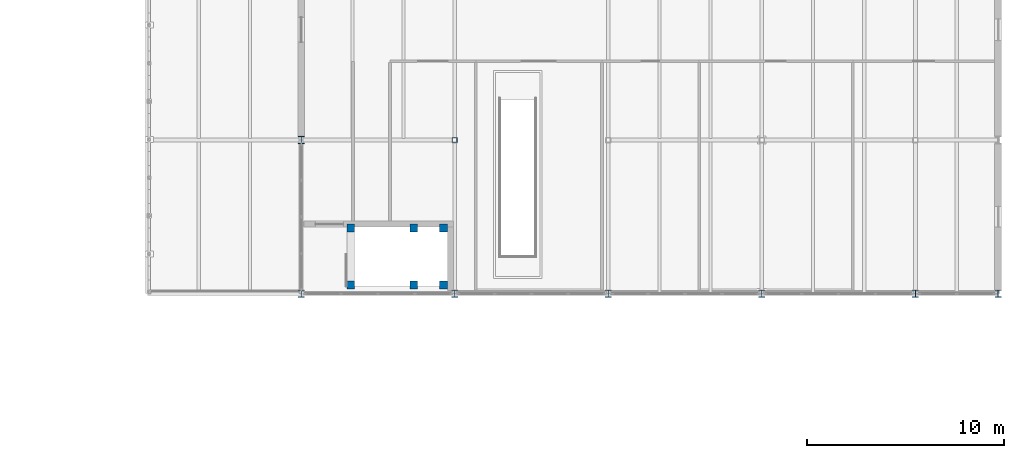
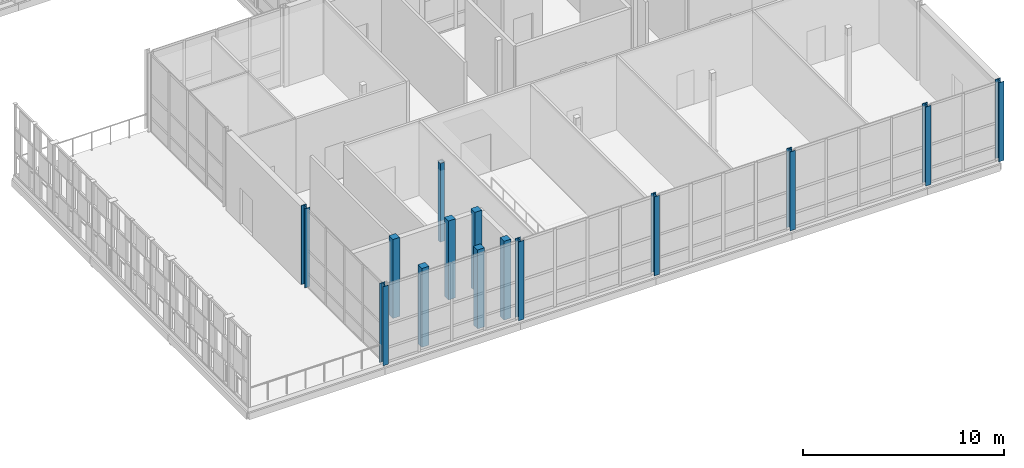
# One storey, part 15 of 138: 14 columns.
"""IFC4 building model written with IfcOpenShell, lengths in metres."""

import ifcopenshell
import ifcopenshell.guid

model = None  # the IFC model being written
_history = None  # IfcOwnerHistory: only IFC2X3 demands one
_inside = {}  # id of a spatial element -> (the spatial element, [elements in it])
_under = {}  # id of a project, library or spatial element -> (it, [spatial elements below it])
_declared = {}  # id of a project -> (the project, [libraries it declares])
_typed = {}  # id of a type object -> (the type object, [elements of that type])
_made_of = {}  # id of a material, layer set ... -> (it, [elements and type objects made of it])


def new_model(schema):
    """Start an empty IFC model of exactly this schema.

    Asked for "IFC4X3", IfcOpenShell would pick the latest addendum, in which some entities
    have other attributes; the version numbers below select the first issue.
    IFC2X3 requires an IfcOwnerHistory on every rooted entity: one is made here for all.
    """
    global model, _history
    if schema == "IFC4X3":
        model = ifcopenshell.file(schema_version=(4, 3, 0, 0))
    else:
        model = ifcopenshell.file(schema=schema)
    _inside.clear()
    _under.clear()
    _declared.clear()
    _typed.clear()
    _made_of.clear()
    _history = None
    if model.schema == "IFC2X3":
        org = make("IfcOrganization", Name="unknown")
        user = make(
            "IfcPersonAndOrganization",
            ThePerson=make("IfcPerson", FamilyName="unknown"),
            TheOrganization=org,
        )
        app = make(
            "IfcApplication",
            ApplicationDeveloper=org,
            Version="unknown",
            ApplicationFullName="unknown",
            ApplicationIdentifier="unknown",
        )
        _history = make(
            "IfcOwnerHistory",
            OwningUser=user,
            OwningApplication=app,
            ChangeAction="ADDED",
            CreationDate=0,
        )
    return model


def make(cls, **values):
    """One entity of the class cls with the attributes given. An attribute that is None is left unset."""
    return model.create_entity(
        cls, **{name: value for name, value in values.items() if value is not None}
    )


def rooted(cls, **values):
    """An entity with a GlobalId (a new one), such as an element, a storey or a relation."""
    return make(cls, GlobalId=ifcopenshell.guid.new(), OwnerHistory=_history, **values)


def si_unit(unit_type, name, prefix=None):
    """IfcSIUnit, for example si_unit("LENGTHUNIT", "METRE", prefix="MILLI")."""
    return make("IfcSIUnit", UnitType=unit_type, Prefix=prefix, Name=name)


def assignment(units):
    """IfcUnitAssignment: the units of a project."""
    return None if units is None else make("IfcUnitAssignment", Units=units)


def point(xyz):
    """IfcCartesianPoint."""
    return None if xyz is None else make("IfcCartesianPoint", Coordinates=xyz)


def direction(xyz):
    """IfcDirection."""
    return None if xyz is None else make("IfcDirection", DirectionRatios=xyz)


def frame(location, z_axis=None, x_axis=None):
    """IfcAxis2Placement3D, a coordinate frame: its origin and axes. An axis left out is left unset."""
    return make(
        "IfcAxis2Placement3D",
        Location=point(location),
        Axis=direction(z_axis),
        RefDirection=direction(x_axis),
    )


def frame_2d(location, x_axis=None):
    """IfcAxis2Placement2D, a coordinate frame in the plane: its origin and x axis."""
    return make(
        "IfcAxis2Placement2D", Location=point(location), RefDirection=direction(x_axis)
    )


def origin():
    """The frame at (0, 0, 0) with its axes left unset."""
    return frame((0.0, 0.0, 0.0))


def origin_2d():
    """The frame at (0, 0) in the plane with its x axis left unset."""
    return frame_2d((0.0, 0.0))


def place(relative_to, where):
    """IfcLocalPlacement: puts the frame where relative to a parent placement (None: the world)."""
    return make(
        "IfcLocalPlacement", PlacementRelTo=relative_to, RelativePlacement=where
    )


def context(
    kind, dimensions, precision=None, world=None, true_north=None, identifier=None
):
    """IfcGeometricRepresentationContext, for example the 3D "Model" context."""
    return make(
        "IfcGeometricRepresentationContext",
        ContextIdentifier=identifier,
        ContextType=kind,
        CoordinateSpaceDimension=dimensions,
        Precision=precision,
        WorldCoordinateSystem=world,
        TrueNorth=true_north,
    )


def subcontext(parent, identifier, kind, view, scale=None):
    """IfcGeometricRepresentationSubContext, for example "Body" below "Model"."""
    return make(
        "IfcGeometricRepresentationSubContext",
        ContextIdentifier=identifier,
        ContextType=kind,
        ParentContext=parent,
        TargetScale=scale,
        TargetView=view,
    )


def project(units=None, contexts=None):
    """IfcProject with its units and contexts."""
    return rooted(
        "IfcProject",
        Name="project",
        RepresentationContexts=contexts,
        UnitsInContext=assignment(units),
    )


def spatial(cls, under=None, at=None, **own):
    """A site, building, storey or space (cls), placed at a placement, below another one or the project."""
    s = rooted(cls, ObjectPlacement=at, **own)
    if under is not None:
        _under.setdefault(under.id(), (under, []))[1].append(s)
    return s


def profile(cls, at=None, kind="AREA", **sizes):
    """A parametric profile (cls). Its sizes go by their IFC names, for example OverallWidth=200.0."""
    return make(cls, ProfileType=kind, Position=at, **sizes)


def rectangle(**sizes):
    """IfcRectangleProfileDef."""
    return profile("IfcRectangleProfileDef", **sizes)


def hollow_rectangle(**sizes):
    """IfcRectangleHollowProfileDef."""
    return profile("IfcRectangleHollowProfileDef", **sizes)


def i_section(**sizes):
    """IfcIShapeProfileDef."""
    return profile("IfcIShapeProfileDef", **sizes)


def extrude(swept, where, along, depth):
    """IfcExtrudedAreaSolid: the profile swept, set in the frame where, extruded along a direction by depth."""
    return make(
        "IfcExtrudedAreaSolid",
        SweptArea=swept,
        Position=where,
        ExtrudedDirection=direction(along),
        Depth=depth,
    )


def shape(context_of_items, identifier, shape_type, items):
    """IfcShapeRepresentation: the items that make up one representation, for example the "Body"."""
    return make(
        "IfcShapeRepresentation",
        ContextOfItems=context_of_items,
        RepresentationIdentifier=identifier,
        RepresentationType=shape_type,
        Items=items,
    )


def material(Name=None, Category=None):
    """IfcMaterial."""
    return make("IfcMaterial", Name=Name, Category=Category)


def material_profile(
    of_material, cross_section, Name=None, Category=None, Priority=None
):
    """IfcMaterialProfile: a cross section and its material."""
    return make(
        "IfcMaterialProfile",
        Name=Name,
        Material=of_material,
        Profile=cross_section,
        Priority=Priority,
        Category=Category,
    )


def profile_set(profiles, Name=None, composite=None):
    """IfcMaterialProfileSet."""
    return make(
        "IfcMaterialProfileSet",
        Name=Name,
        MaterialProfiles=profiles,
        CompositeProfile=composite,
    )


def made_of(thing, what):
    """Note that an element or type object is made of a material, layer set ...; save() writes the relation."""
    if what is not None:
        _made_of.setdefault(what.id(), (what, []))[1].append(thing)
    return thing


def type_object(cls, material=None, **own):
    """A type object (cls), such as IfcWallType, which elements share."""
    return made_of(rooted(cls, **own), material)


def element(
    cls,
    number,
    at=None,
    inside=None,
    cuts=None,
    type_object=None,
    material=None,
    context=None,
    identifier="Body",
    shape_type=None,
    held_by="IfcProductDefinitionShape",
    body=None,
    shapes=None,
    **own,
):
    """One element of the class cls, such as IfcWall. Its Tag is "e" and its number.

    at: its placement. inside: the storey or other place that contains it. cuts: it is an
    opening in that element (IfcRelVoidsElement). A single representation is given by context,
    identifier, shape_type and body (its items); several are given by shapes. held_by: the class
    of the entity that holds the representations. save() writes the other relations.
    """
    e = rooted(cls, Tag="e%d" % number, ObjectPlacement=at, **own)
    if body is not None:
        shapes = [shape(context, identifier, shape_type, body)]
    if shapes is not None:
        e.Representation = make(held_by, Representations=shapes)
    if inside is not None:
        _inside.setdefault(inside.id(), (inside, []))[1].append(e)
    if cuts is not None:
        rooted(
            "IfcRelVoidsElement", RelatingBuildingElement=cuts, RelatedOpeningElement=e
        )
    if type_object is not None:
        _typed.setdefault(type_object.id(), (type_object, []))[1].append(e)
    return made_of(e, material)


def aggregate(whole, parts):
    """IfcRelAggregates: a whole, such as a stair, and the parts it consists of."""
    return rooted("IfcRelAggregates", RelatingObject=whole, RelatedObjects=parts)


def save(model, path):
    """Write the relations noted so far, then the file.

    IfcRelAggregates (storeys below a building ...), IfcRelContainedInSpatialStructure (elements
    in a storey), IfcRelDefinesByType, IfcRelAssociatesMaterial and IfcRelDeclares: one each for
    every whole, place, type object, material and project.
    """
    for whole, parts in _under.values():
        aggregate(whole, parts)
    for where, things in _inside.values():
        rooted(
            "IfcRelContainedInSpatialStructure",
            RelatedElements=things,
            RelatingStructure=where,
        )
    for kind, things in _typed.values():
        rooted("IfcRelDefinesByType", RelatedObjects=things, RelatingType=kind)
    for what, things in _made_of.values():
        rooted("IfcRelAssociatesMaterial", RelatedObjects=things, RelatingMaterial=what)
    for by, libraries in _declared.values():
        rooted("IfcRelDeclares", RelatingContext=by, RelatedDefinitions=libraries)
    model.write(path)


model = new_model("IFC4")

# Units and contexts
model_context = context("Model", 3, precision=1e-05, world=origin(), true_north=direction((0.0, 1.0)))
body_context = subcontext(model_context, "Body", "Model", "MODEL_VIEW")
ifc_project = project(units=[si_unit("LENGTHUNIT", "METRE"), si_unit("AREAUNIT", "SQUARE_METRE"), si_unit("VOLUMEUNIT", "CUBIC_METRE"), si_unit("PLANEANGLEUNIT", "RADIAN"), si_unit("MASSUNIT", "GRAM", prefix="KILO")], contexts=[model_context])

# Site, building, storey
site_placement = place(None, origin())
site = spatial("IfcSite", under=ifc_project, at=site_placement, CompositionType="ELEMENT")
building_placement = place(site_placement, origin())
building = spatial("IfcBuilding", under=site, at=building_placement, Name="Celorna Specialist Clinic", CompositionType="ELEMENT")
storey_placement = place(building_placement, frame((0.0, 0.0, 4.800048828125)))
storey = spatial("IfcBuildingStorey", under=building, at=storey_placement, Name="L01", CompositionType="ELEMENT", Elevation=4.800048828125)

# Columns
ifc_material_1 = material(Name="Concrete C35/45", Category="concrete")
ifc_material_profile_1 = material_profile(ifc_material_1, rectangle(XDim=0.39990234375, YDim=0.39990234375, at=origin_2d()), Name="RC 400x400")
ifc_profile_set_1 = profile_set([ifc_material_profile_1], Name="Concrete C35/45")
column_type_1 = type_object("IfcColumnType", Name="CT-08", PredefinedType="COLUMN", material=ifc_profile_set_1)
for number, where, z_axis, x_axis, name in (
    (1, (135.1201171875, 60.429931640625, 0.0), (0.0, 0.0, 1.0), (1.0, 0.0, 0.0), "Stair ST-13 landing column CT-08 L01 X18/YL"),
    (2, (135.1201171875, 63.330078125, 0.0), (0.0, 0.0, 1.0), (1.0, 0.0, 0.0), "Stair ST-13 landing column CT-08 L01 X18/YM"),
    (3, (138.320068359375, 60.429931640625, 0.0), (0.0, 0.0, 1.0), (1.0, 0.0, 0.0), "Stair ST-13 landing column CT-08 L01 X19/YL"),
    (4, (138.320068359375, 63.330078125, 0.0), (0.0, 0.0, 1.0), (1.0, 0.0, 0.0), "Stair ST-13 landing column CT-08 L01 X19/YM"),
    (5, (139.840087890625, 60.429931640625, 0.0), (0.0, 0.0, 1.0), (1.0, 0.0, 0.0), "Stair ST-13 landing column CT-08 L01 X19/YL"),
    (6, (139.840087890625, 63.330078125, 0.0), (0.0, 0.0, 1.0), (1.0, 0.0, 0.0), "Stair ST-13 landing column CT-08 L01 X19/YM"),
):
    element("IfcColumn", number, at=place(storey_placement, frame(where, z_axis=z_axis, x_axis=x_axis)), inside=storey, type_object=column_type_1, Name=name, PredefinedType="COLUMN", context=body_context, shape_type="SweptSolid", body=[
        extrude(rectangle(XDim=0.39990234375, YDim=0.39990234375, at=origin_2d()), origin(), (0.0, 0.0, 1.0), 4.800048828125),
    ])
ifc_material_2 = material(Name="Steel S355", Category="steel")
ifc_material_profile_2 = material_profile(ifc_material_2, i_section(OverallWidth=0.300048828125, OverallDepth=0.360107421875, WebThickness=0.012451171875, FlangeThickness=0.0224609375, at=origin_2d()), Name="HE 360 B")
ifc_profile_set_2 = profile_set([ifc_material_profile_2], Name="Steel S355")
column_type_2 = type_object("IfcColumnType", Name="CT-13", PredefinedType="COLUMN", material=ifc_profile_set_2)
for number, where, z_axis, x_axis, name in (
    (7, (132.60009765625, 60.0, 0.0), (0.0, 0.0, 1.0), (1.0, 0.0, 0.0), "Column CT-13 L01 X18/YL"),
    (8, (132.60009765625, 67.800048828125, 0.0), (0.0, 0.0, 1.0), (1.0, 0.0, 0.0), "Column CT-13 L01 X18/YN"),
    (9, (140.39990234375, 60.0, 0.0), (0.0, 0.0, 1.0), (1.0, 0.0, 0.0), "Column CT-13 L01 X19/YL"),
    (10, (148.199951171875, 60.0, 0.0), (0.0, 0.0, 1.0), (1.0, 0.0, 0.0), "Column CT-13 L01 X20/YL"),
    (11, (156.0, 60.0, 0.0), (0.0, 0.0, 1.0), (1.0, 0.0, 0.0), "Column CT-13 L01 X21/YL"),
    (12, (163.800048828125, 60.0, 0.0), (0.0, 0.0, 1.0), (1.0, 0.0, 0.0), "Column CT-13 L01 X22/YL"),
    (13, (168.0, 60.0, 0.0), (0.0, 0.0, 1.0), (1.0, 0.0, 0.0), "Column CT-13 L01 X23/YL"),
):
    element("IfcColumn", number, at=place(storey_placement, frame(where, z_axis=z_axis, x_axis=x_axis)), inside=storey, type_object=column_type_2, Name=name, PredefinedType="COLUMN", context=body_context, shape_type="SweptSolid", body=[
        extrude(i_section(OverallWidth=0.300048828125, OverallDepth=0.360107421875, WebThickness=0.012451171875, FlangeThickness=0.0224609375, at=origin_2d()), origin(), (0.0, 0.0, 1.0), 4.800048828125),
    ])
ifc_material_profile_3 = material_profile(ifc_material_2, hollow_rectangle(XDim=0.25, YDim=0.25, WallThickness=0.012451171875, at=origin_2d()), Name="SHS 250x250x12.5")
ifc_profile_set_3 = profile_set([ifc_material_profile_3], Name="Steel S355")
column_type_3 = type_object("IfcColumnType", Name="CT-19", PredefinedType="COLUMN", material=ifc_profile_set_3)
column_placement = place(storey_placement, frame((140.39990234375, 67.800048828125, 0.0), z_axis=(0.0, 0.0, 1.0), x_axis=(1.0, 0.0, 0.0)))
element("IfcColumn", 14, at=column_placement, inside=storey, type_object=column_type_3, Name="Column CT-19 L01 X19/YN", PredefinedType="COLUMN", context=body_context, shape_type="SweptSolid", body=[
    extrude(hollow_rectangle(XDim=0.25, YDim=0.25, WallThickness=0.012451171875, at=origin_2d()), origin(), (0.0, 0.0, 1.0), 4.800048828125),
])

save(model, "model.ifc")
